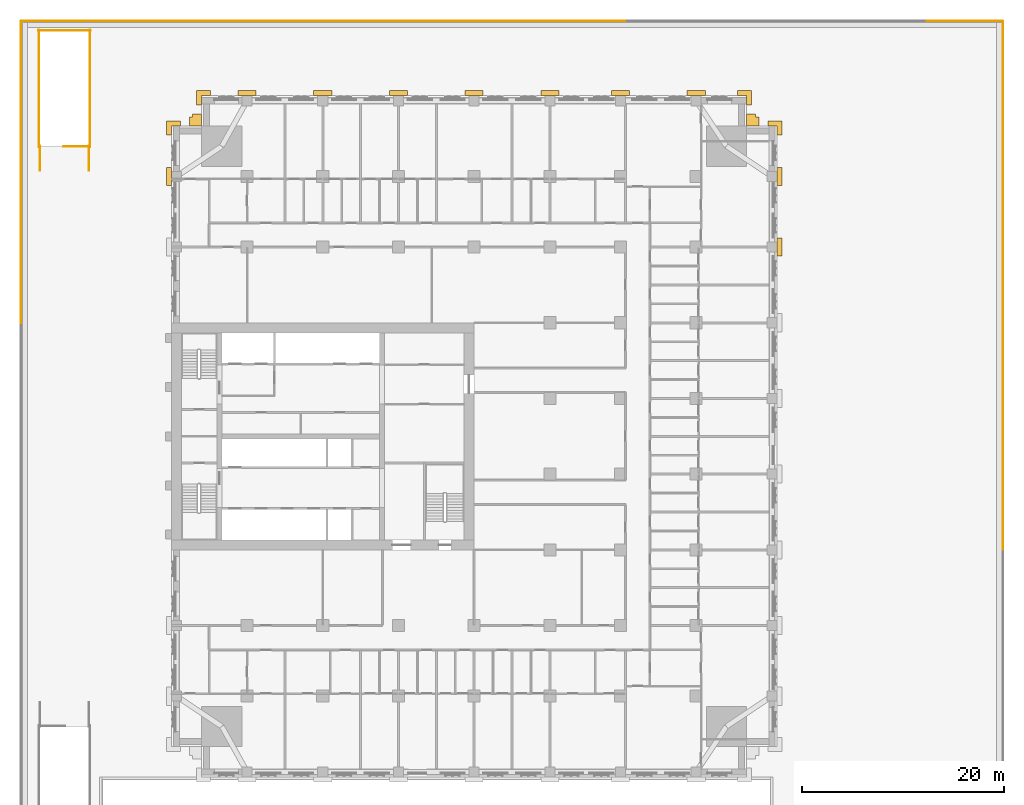
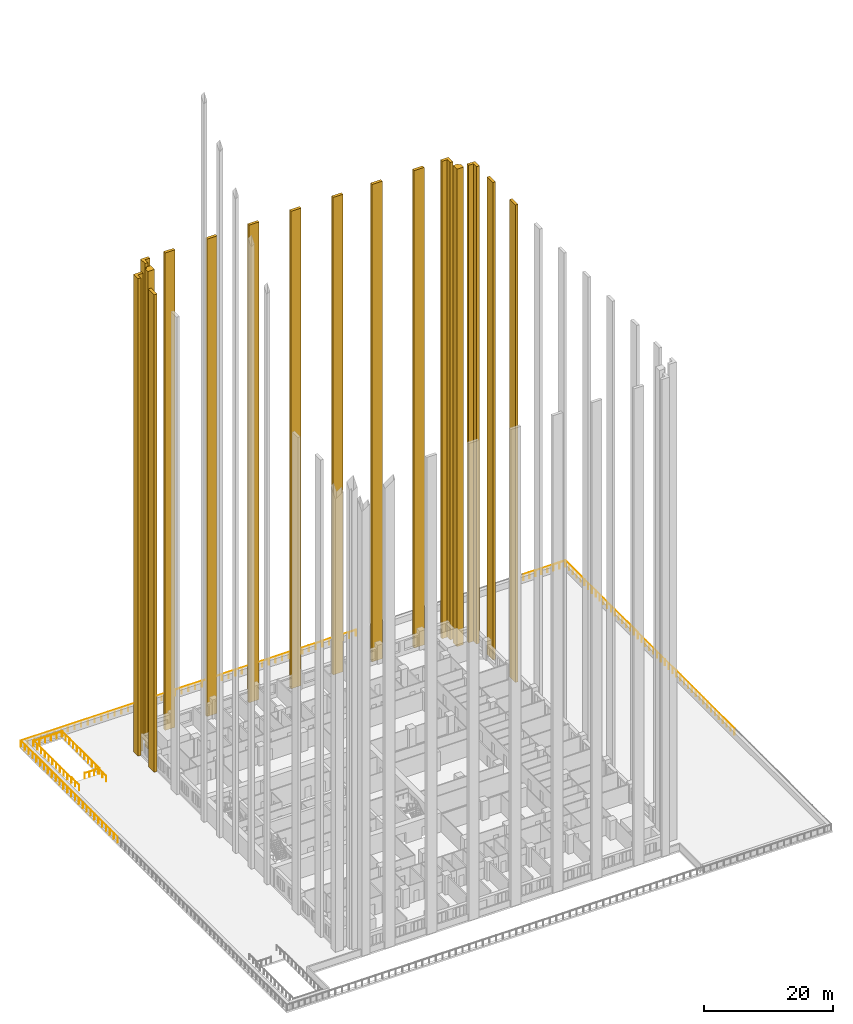
# One storey, part 26 of 27: 16 coverings, 11 railings.
"""IFC4 building model written with IfcOpenShell, lengths in metres."""

from ifc_helpers import new_model, si_unit, direction, frame, origin, origin_2d, place, context, subcontext, project, spatial, polyline, circle, outline, extrude, material, layer, layer_set, type_object, element, save


model = new_model("IFC4")

# Units and contexts
model_context = context("Model", 3, precision=1e-05, world=origin(), true_north=direction((0.0, 1.0)))
body_context = subcontext(model_context, "Body", "Model", "MODEL_VIEW")
ifc_project = project(units=[si_unit("LENGTHUNIT", "METRE"), si_unit("AREAUNIT", "SQUARE_METRE"), si_unit("VOLUMEUNIT", "CUBIC_METRE"), si_unit("PLANEANGLEUNIT", "RADIAN"), si_unit("MASSUNIT", "GRAM", prefix="KILO")], contexts=[model_context])

# Site, building, storey
site_placement = place(None, origin())
site = spatial("IfcSite", under=ifc_project, at=site_placement, CompositionType="ELEMENT")
building_placement = place(site_placement, origin())
building = spatial("IfcBuilding", under=site, at=building_placement, Name="Tamorin Gate", CompositionType="ELEMENT")
storey_placement = place(building_placement, frame((0.0, 0.0, 34.0)))
storey = spatial("IfcBuildingStorey", under=building, at=storey_placement, Name="L06", CompositionType="ELEMENT", Elevation=34.0)

# Coverings
ifc_material_1 = material(Name="Precast concrete C40/50", Category="concrete")
ifc_layer_1 = layer(ifc_material_1, 0.5)
ifc_layer_set_1 = layer_set([ifc_layer_1], Name="Corner pier cladding 500")
covering_type_1 = type_object("IfcCoveringType", Name="Corner pier cladding 500", PredefinedType="CLADDING", material=ifc_layer_set_1)
covering_1_placement = place(storey_placement, origin())
element("IfcCovering", 1, at=covering_1_placement, inside=storey, type_object=covering_type_1, Name="Corner pier", PredefinedType="CLADDING", context=body_context, shape_type="SweptSolid", body=[
    extrude(outline(polyline([(90.5, 102.5), (90.5, 101.10009765625), (90.0, 101.10009765625), (90.0, 102.0), (89.10009765625, 102.0), (89.10009765625, 102.5), (90.5, 102.5)])), origin(), (0.0, 0.0, 1.0), 90.199951171875),
])
covering_2_placement = place(storey_placement, origin())
element("IfcCovering", 2, at=covering_2_placement, inside=storey, type_object=covering_type_1, Name="Corner pier", PredefinedType="CLADDING", context=body_context, shape_type="SweptSolid", body=[
    extrude(outline(polyline([(87.5, 105.5), (87.5, 104.10009765625), (87.0, 104.10009765625), (87.0, 105.0), (86.10009765625, 105.0), (86.10009765625, 105.5), (87.5, 105.5)])), origin(), (0.0, 0.0, 1.0), 90.199951171875),
])
covering_3_placement = place(storey_placement, origin())
element("IfcCovering", 3, at=covering_3_placement, inside=storey, type_object=covering_type_1, Name="Corner pier", PredefinedType="CLADDING", context=body_context, shape_type="SweptSolid", body=[
    extrude(outline(polyline([(32.5, 105.5), (33.89990234375, 105.5), (33.89990234375, 105.0), (33.0, 105.0), (33.0, 104.10009765625), (32.5, 104.10009765625), (32.5, 105.5)])), origin(), (0.0, 0.0, 1.0), 90.199951171875),
])
covering_4_placement = place(storey_placement, origin())
element("IfcCovering", 4, at=covering_4_placement, inside=storey, type_object=covering_type_1, Name="Corner pier", PredefinedType="CLADDING", context=body_context, shape_type="SweptSolid", body=[
    extrude(outline(polyline([(29.5, 102.5), (30.89990234375, 102.5), (30.89990234375, 102.0), (30.0, 102.0), (30.0, 101.10009765625), (29.5, 101.10009765625), (29.5, 102.5)])), origin(), (0.0, 0.0, 1.0), 90.199951171875),
])
ifc_layer_2 = layer(ifc_material_1, 0.89990234375)
ifc_layer_set_2 = layer_set([ifc_layer_2], Name="Corner pier cladding 900")
covering_type_2 = type_object("IfcCoveringType", Name="Corner pier cladding 900", PredefinedType="CLADDING", material=ifc_layer_set_2)
covering_5_placement = place(storey_placement, origin())
element("IfcCovering", 5, at=covering_5_placement, inside=storey, type_object=covering_type_2, Name="Corner pier", PredefinedType="CLADDING", context=body_context, shape_type="SweptSolid", body=[
    extrude(outline(polyline([(87.89990234375, 102.89990234375), (88.199951171875, 102.89990234375), (88.199951171875, 102.0), (87.0, 102.0), (87.0, 103.199951171875), (87.89990234375, 103.199951171875), (87.89990234375, 102.89990234375)])), origin(), (0.0, 0.0, 1.0), 90.199951171875),
])
covering_6_placement = place(storey_placement, origin())
element("IfcCovering", 6, at=covering_6_placement, inside=storey, type_object=covering_type_2, Name="Corner pier", PredefinedType="CLADDING", context=body_context, shape_type="SweptSolid", body=[
    extrude(outline(polyline([(32.10009765625, 102.89990234375), (32.10009765625, 103.199951171875), (33.0, 103.199951171875), (33.0, 102.0), (31.800048828125, 102.0), (31.800048828125, 102.89990234375), (32.10009765625, 102.89990234375)])), origin(), (0.0, 0.0, 1.0), 90.199951171875),
])

# Railings
ifc_material_2 = material(Name="Steel", Category="steel")
railing_type_1 = type_object("IfcRailingType", Name="Podium guard 1100", PredefinedType="GUARDRAIL", material=ifc_material_2)
railing_1_placement = place(storey_placement, frame((21.875, 99.949951171875, 0.0)))
element("IfcRailing", 7, at=railing_1_placement, inside=storey, type_object=railing_type_1, Name="L06 PS2 top well guard 1", PredefinedType="GUARDRAIL", context=body_context, shape_type="SweptSolid", body=[
    extrude(circle(Radius=0.02392578125, at=origin_2d()), frame((0.0, 0.0, 1.076171875), z_axis=(-1.0, 0.0, 0.0), x_axis=(0.0, -1.0, 0.0)), (0.0, 0.0, 1.0), 2.550048828125),
    extrude(circle(Radius=0.02099609375, at=origin_2d()), origin(), (0.0, 0.0, 1.0), 1.052001953125),
    extrude(circle(Radius=0.02099609375, at=origin_2d()), frame((-0.85009765625, 0.0, 0.0)), (0.0, 0.0, 1.0), 1.052001953125),
    extrude(circle(Radius=0.02099609375, at=origin_2d()), frame((-1.699951171875, 0.0, 0.0)), (0.0, 0.0, 1.0), 1.052001953125),
    extrude(circle(Radius=0.02099609375, at=origin_2d()), frame((-2.550048828125, 0.0, 0.0)), (0.0, 0.0, 1.0), 1.052001953125),
])
for number, where, name in (
    (8, (21.925048828125, 99.89990234375, 0.0), "L06 PS2 top well guard 2"),
    (9, (16.875, 99.89990234375, 0.0), "L06 PS2 top well guard 3"),
):
    element("IfcRailing", number, at=place(storey_placement, frame(where)), inside=storey, type_object=railing_type_1, Name=name, PredefinedType="GUARDRAIL", context=body_context, shape_type="SweptSolid", body=[
        extrude(circle(Radius=0.02392578125, at=origin_2d()), frame((0.0, 0.0, 1.076171875), z_axis=(0.0, 1.0, 0.0), x_axis=(-1.0, 0.0, 0.0)), (0.0, 0.0, 1.0), 11.60009765625),
        extrude(circle(Radius=0.02099609375, at=origin_2d()), origin(), (0.0, 0.0, 1.0), 1.052001953125),
        extrude(circle(Radius=0.02099609375, at=origin_2d()), frame((0.0, 1.159912109375, 0.0)), (0.0, 0.0, 1.0), 1.052001953125),
        extrude(circle(Radius=0.02099609375, at=origin_2d()), frame((0.0, 2.320068359375, 0.0)), (0.0, 0.0, 1.0), 1.052001953125),
        extrude(circle(Radius=0.02099609375, at=origin_2d()), frame((0.0, 3.47998046875, 0.0)), (0.0, 0.0, 1.0), 1.052001953125),
        extrude(circle(Radius=0.02099609375, at=origin_2d()), frame((0.0, 4.64013671875, 0.0)), (0.0, 0.0, 1.0), 1.052001953125),
        extrude(circle(Radius=0.02099609375, at=origin_2d()), frame((0.0, 5.800048828125, 0.0)), (0.0, 0.0, 1.0), 1.052001953125),
        extrude(circle(Radius=0.02099609375, at=origin_2d()), frame((0.0, 6.9599609375, 0.0)), (0.0, 0.0, 1.0), 1.052001953125),
        extrude(circle(Radius=0.02099609375, at=origin_2d()), frame((0.0, 8.1201171875, 0.0)), (0.0, 0.0, 1.0), 1.052001953125),
        extrude(circle(Radius=0.02099609375, at=origin_2d()), frame((0.0, 9.280029296875, 0.0)), (0.0, 0.0, 1.0), 1.052001953125),
        extrude(circle(Radius=0.02099609375, at=origin_2d()), frame((0.0, 10.440185546875, 0.0)), (0.0, 0.0, 1.0), 1.052001953125),
        extrude(circle(Radius=0.02099609375, at=origin_2d()), frame((0.0, 11.60009765625, 0.0)), (0.0, 0.0, 1.0), 1.052001953125),
    ])
railing_2_placement = place(storey_placement, frame((21.97509765625, 111.449951171875, 0.0)))
element("IfcRailing", 10, at=railing_2_placement, inside=storey, type_object=railing_type_1, Name="L06 PS2 top well guard 4", PredefinedType="GUARDRAIL", context=body_context, shape_type="SweptSolid", body=[
    extrude(circle(Radius=0.02392578125, at=origin_2d()), frame((0.0, 0.0, 1.076171875), z_axis=(-1.0, 0.0, 0.0), x_axis=(0.0, -1.0, 0.0)), (0.0, 0.0, 1.0), 5.150146484375),
    extrude(circle(Radius=0.02099609375, at=origin_2d()), origin(), (0.0, 0.0, 1.0), 1.052001953125),
    extrude(circle(Radius=0.02099609375, at=origin_2d()), frame((-1.030029296875, 0.0, 0.0)), (0.0, 0.0, 1.0), 1.052001953125),
    extrude(circle(Radius=0.02099609375, at=origin_2d()), frame((-2.06005859375, 0.0, 0.0)), (0.0, 0.0, 1.0), 1.052001953125),
    extrude(circle(Radius=0.02099609375, at=origin_2d()), frame((-3.090087890625, 0.0, 0.0)), (0.0, 0.0, 1.0), 1.052001953125),
    extrude(circle(Radius=0.02099609375, at=origin_2d()), frame((-4.1201171875, 0.0, 0.0)), (0.0, 0.0, 1.0), 1.052001953125),
    extrude(circle(Radius=0.02099609375, at=origin_2d()), frame((-5.150146484375, 0.0, 0.0)), (0.0, 0.0, 1.0), 1.052001953125),
])
for number, where, name in (
    (11, (21.824951171875, 97.60009765625, 0.0), "L06 PS2 top well guard 5"),
    (12, (16.97509765625, 97.60009765625, 0.0), "L06 PS2 top well guard 6"),
):
    element("IfcRailing", number, at=place(storey_placement, frame(where)), inside=storey, type_object=railing_type_1, Name=name, PredefinedType="GUARDRAIL", context=body_context, shape_type="SweptSolid", body=[
        extrude(circle(Radius=0.02392578125, at=origin_2d()), frame((0.0, 0.0, 1.076171875), z_axis=(0.0, 1.0, 0.0), x_axis=(-1.0, 0.0, 0.0)), (0.0, 0.0, 1.0), 2.39990234375),
        extrude(circle(Radius=0.02099609375, at=origin_2d()), origin(), (0.0, 0.0, 1.0), 1.052001953125),
        extrude(circle(Radius=0.02099609375, at=origin_2d()), frame((0.0, 1.199951171875, 0.0)), (0.0, 0.0, 1.0), 1.052001953125),
        extrude(circle(Radius=0.02099609375, at=origin_2d()), frame((0.0, 2.39990234375, 0.0)), (0.0, 0.0, 1.0), 1.052001953125),
    ])

# Coverings
ifc_layer_3 = layer(ifc_material_1, 0.5)
ifc_layer_set_3 = layer_set([ifc_layer_3], Name="Precast concrete C40/50")
covering_type_3 = type_object("IfcCoveringType", Name="Precast pier 1800x500", PredefinedType="CLADDING", material=ifc_layer_set_3)
covering_7_placement = place(storey_placement, origin())
element("IfcCovering", 13, at=covering_7_placement, inside=storey, type_object=covering_type_3, Name="Precast pier", PredefinedType="CLADDING", context=body_context, shape_type="SweptSolid", body=[
    extrude(outline(polyline([(30.0, 97.89990234375), (30.0, 96.10009765625), (29.5, 96.10009765625), (29.5, 97.89990234375), (30.0, 97.89990234375)])), origin(), (0.0, 0.0, 1.0), 90.199951171875),
])
covering_8_placement = place(storey_placement, origin())
element("IfcCovering", 14, at=covering_8_placement, inside=storey, type_object=covering_type_3, Name="Precast pier", PredefinedType="CLADDING", context=body_context, shape_type="SweptSolid", body=[
    extrude(outline(polyline([(38.39990234375, 105.0), (36.60009765625, 105.0), (36.60009765625, 105.5), (38.39990234375, 105.5), (38.39990234375, 105.0)])), origin(), (0.0, 0.0, 1.0), 90.199951171875),
])
covering_9_placement = place(storey_placement, origin())
element("IfcCovering", 15, at=covering_9_placement, inside=storey, type_object=covering_type_3, Name="Precast pier", PredefinedType="CLADDING", context=body_context, shape_type="SweptSolid", body=[
    extrude(outline(polyline([(45.89990234375, 105.0), (44.10009765625, 105.0), (44.10009765625, 105.5), (45.89990234375, 105.5), (45.89990234375, 105.0)])), origin(), (0.0, 0.0, 1.0), 90.199951171875),
])
covering_10_placement = place(storey_placement, origin())
element("IfcCovering", 16, at=covering_10_placement, inside=storey, type_object=covering_type_3, Name="Precast pier", PredefinedType="CLADDING", context=body_context, shape_type="SweptSolid", body=[
    extrude(outline(polyline([(53.39990234375, 105.0), (51.60009765625, 105.0), (51.60009765625, 105.5), (53.39990234375, 105.5), (53.39990234375, 105.0)])), origin(), (0.0, 0.0, 1.0), 90.199951171875),
])
covering_11_placement = place(storey_placement, origin())
element("IfcCovering", 17, at=covering_11_placement, inside=storey, type_object=covering_type_3, Name="Precast pier", PredefinedType="CLADDING", context=body_context, shape_type="SweptSolid", body=[
    extrude(outline(polyline([(60.89990234375, 105.0), (59.10009765625, 105.0), (59.10009765625, 105.5), (60.89990234375, 105.5), (60.89990234375, 105.0)])), origin(), (0.0, 0.0, 1.0), 90.199951171875),
])
covering_12_placement = place(storey_placement, origin())
element("IfcCovering", 18, at=covering_12_placement, inside=storey, type_object=covering_type_3, Name="Precast pier", PredefinedType="CLADDING", context=body_context, shape_type="SweptSolid", body=[
    extrude(outline(polyline([(68.39990234375, 105.0), (66.60009765625, 105.0), (66.60009765625, 105.5), (68.39990234375, 105.5), (68.39990234375, 105.0)])), origin(), (0.0, 0.0, 1.0), 90.199951171875),
])
covering_13_placement = place(storey_placement, origin())
element("IfcCovering", 19, at=covering_13_placement, inside=storey, type_object=covering_type_3, Name="Precast pier", PredefinedType="CLADDING", context=body_context, shape_type="SweptSolid", body=[
    extrude(outline(polyline([(75.39990234375, 105.0), (73.60009765625, 105.0), (73.60009765625, 105.5), (75.39990234375, 105.5), (75.39990234375, 105.0)])), origin(), (0.0, 0.0, 1.0), 90.199951171875),
])
covering_14_placement = place(storey_placement, origin())
element("IfcCovering", 20, at=covering_14_placement, inside=storey, type_object=covering_type_3, Name="Precast pier", PredefinedType="CLADDING", context=body_context, shape_type="SweptSolid", body=[
    extrude(outline(polyline([(82.89990234375, 105.0), (81.10009765625, 105.0), (81.10009765625, 105.5), (82.89990234375, 105.5), (82.89990234375, 105.0)])), origin(), (0.0, 0.0, 1.0), 90.199951171875),
])
covering_15_placement = place(storey_placement, origin())
element("IfcCovering", 21, at=covering_15_placement, inside=storey, type_object=covering_type_3, Name="Precast pier", PredefinedType="CLADDING", context=body_context, shape_type="SweptSolid", body=[
    extrude(outline(polyline([(90.0, 89.10009765625), (90.0, 90.89990234375), (90.5, 90.89990234375), (90.5, 89.10009765625), (90.0, 89.10009765625)])), origin(), (0.0, 0.0, 1.0), 90.199951171875),
])
covering_16_placement = place(storey_placement, origin())
element("IfcCovering", 22, at=covering_16_placement, inside=storey, type_object=covering_type_3, Name="Precast pier", PredefinedType="CLADDING", context=body_context, shape_type="SweptSolid", body=[
    extrude(outline(polyline([(90.0, 96.10009765625), (90.0, 97.89990234375), (90.5, 97.89990234375), (90.5, 96.10009765625), (90.0, 96.10009765625)])), origin(), (0.0, 0.0, 1.0), 90.199951171875),
])

# Railings
ifc_material_3 = material(Name="Stainless steel", Category="steel")
railing_type_2 = type_object("IfcRailingType", Name="Terrace guard 1150", PredefinedType="GUARDRAIL", material=ifc_material_3)
railing_3_placement = place(storey_placement, frame((15.1201171875, 112.3798828125, 0.0)))
element("IfcRailing", 23, at=railing_3_placement, inside=storey, type_object=railing_type_2, Name="Terrace guard", PredefinedType="GUARDRAIL", context=body_context, shape_type="SweptSolid", body=[
    extrude(circle(Radius=0.02392578125, at=origin_2d()), frame((0.0, 0.0, 1.1259765625), z_axis=(1.0, 0.0, 0.0), x_axis=(0.0, 1.0, 0.0)), (0.0, 0.0, 1.0), 29.919921875),
    extrude(circle(Radius=0.02099609375, at=origin_2d()), origin(), (0.0, 0.0, 1.0), 1.101806640625),
    extrude(circle(Radius=0.02099609375, at=origin_2d()), frame((1.19677734375, 0.0, 0.0)), (0.0, 0.0, 1.0), 1.101806640625),
    extrude(circle(Radius=0.02099609375, at=origin_2d()), frame((2.3935546875, 0.0, 0.0)), (0.0, 0.0, 1.0), 1.101806640625),
    extrude(circle(Radius=0.02099609375, at=origin_2d()), frame((3.59033203125, 0.0, 0.0)), (0.0, 0.0, 1.0), 1.101806640625),
    extrude(circle(Radius=0.02099609375, at=origin_2d()), frame((4.787109375, 0.0, 0.0)), (0.0, 0.0, 1.0), 1.101806640625),
    extrude(circle(Radius=0.02099609375, at=origin_2d()), frame((5.98388671875, 0.0, 0.0)), (0.0, 0.0, 1.0), 1.101806640625),
    extrude(circle(Radius=0.02099609375, at=origin_2d()), frame((7.1806640625, 0.0, 0.0)), (0.0, 0.0, 1.0), 1.101806640625),
    extrude(circle(Radius=0.02099609375, at=origin_2d()), frame((8.377685546875, 0.0, 0.0)), (0.0, 0.0, 1.0), 1.101806640625),
    extrude(circle(Radius=0.02099609375, at=origin_2d()), frame((9.574462890625, 0.0, 0.0)), (0.0, 0.0, 1.0), 1.101806640625),
    extrude(circle(Radius=0.02099609375, at=origin_2d()), frame((10.771240234375, 0.0, 0.0)), (0.0, 0.0, 1.0), 1.101806640625),
    extrude(circle(Radius=0.02099609375, at=origin_2d()), frame((11.968017578125, 0.0, 0.0)), (0.0, 0.0, 1.0), 1.101806640625),
    extrude(circle(Radius=0.02099609375, at=origin_2d()), frame((13.164794921875, 0.0, 0.0)), (0.0, 0.0, 1.0), 1.101806640625),
    extrude(circle(Radius=0.02099609375, at=origin_2d()), frame((14.361572265625, 0.0, 0.0)), (0.0, 0.0, 1.0), 1.101806640625),
    extrude(circle(Radius=0.02099609375, at=origin_2d()), frame((15.558349609375, 0.0, 0.0)), (0.0, 0.0, 1.0), 1.101806640625),
    extrude(circle(Radius=0.02099609375, at=origin_2d()), frame((16.755126953125, 0.0, 0.0)), (0.0, 0.0, 1.0), 1.101806640625),
    extrude(circle(Radius=0.02099609375, at=origin_2d()), frame((17.951904296875, 0.0, 0.0)), (0.0, 0.0, 1.0), 1.101806640625),
    extrude(circle(Radius=0.02099609375, at=origin_2d()), frame((19.148681640625, 0.0, 0.0)), (0.0, 0.0, 1.0), 1.101806640625),
    extrude(circle(Radius=0.02099609375, at=origin_2d()), frame((20.345458984375, 0.0, 0.0)), (0.0, 0.0, 1.0), 1.101806640625),
    extrude(circle(Radius=0.02099609375, at=origin_2d()), frame((21.542236328125, 0.0, 0.0)), (0.0, 0.0, 1.0), 1.101806640625),
    extrude(circle(Radius=0.02099609375, at=origin_2d()), frame((22.7392578125, 0.0, 0.0)), (0.0, 0.0, 1.0), 1.101806640625),
    extrude(circle(Radius=0.02099609375, at=origin_2d()), frame((23.93603515625, 0.0, 0.0)), (0.0, 0.0, 1.0), 1.101806640625),
    extrude(circle(Radius=0.02099609375, at=origin_2d()), frame((25.1328125, 0.0, 0.0)), (0.0, 0.0, 1.0), 1.101806640625),
    extrude(circle(Radius=0.02099609375, at=origin_2d()), frame((26.32958984375, 0.0, 0.0)), (0.0, 0.0, 1.0), 1.101806640625),
    extrude(circle(Radius=0.02099609375, at=origin_2d()), frame((27.5263671875, 0.0, 0.0)), (0.0, 0.0, 1.0), 1.101806640625),
    extrude(circle(Radius=0.02099609375, at=origin_2d()), frame((28.72314453125, 0.0, 0.0)), (0.0, 0.0, 1.0), 1.101806640625),
    extrude(circle(Radius=0.02099609375, at=origin_2d()), frame((29.919921875, 0.0, 0.0)), (0.0, 0.0, 1.0), 1.101806640625),
])
railing_4_placement = place(storey_placement, frame((45.0400390625, 112.3798828125, 0.0)))
element("IfcRailing", 24, at=railing_4_placement, inside=storey, type_object=railing_type_2, Name="Terrace guard", PredefinedType="GUARDRAIL", context=body_context, shape_type="SweptSolid", body=[
    extrude(circle(Radius=0.02392578125, at=origin_2d()), frame((0.0, 0.0, 1.1259765625), z_axis=(1.0, 0.0, 0.0), x_axis=(0.0, 1.0, 0.0)), (0.0, 0.0, 1.0), 29.919921875),
    extrude(circle(Radius=0.02099609375, at=origin_2d()), origin(), (0.0, 0.0, 1.0), 1.101806640625),
    extrude(circle(Radius=0.02099609375, at=origin_2d()), frame((1.19677734375, 0.0, 0.0)), (0.0, 0.0, 1.0), 1.101806640625),
    extrude(circle(Radius=0.02099609375, at=origin_2d()), frame((2.3935546875, 0.0, 0.0)), (0.0, 0.0, 1.0), 1.101806640625),
    extrude(circle(Radius=0.02099609375, at=origin_2d()), frame((3.59033203125, 0.0, 0.0)), (0.0, 0.0, 1.0), 1.101806640625),
    extrude(circle(Radius=0.02099609375, at=origin_2d()), frame((4.787109375, 0.0, 0.0)), (0.0, 0.0, 1.0), 1.101806640625),
    extrude(circle(Radius=0.02099609375, at=origin_2d()), frame((5.98388671875, 0.0, 0.0)), (0.0, 0.0, 1.0), 1.101806640625),
    extrude(circle(Radius=0.02099609375, at=origin_2d()), frame((7.1806640625, 0.0, 0.0)), (0.0, 0.0, 1.0), 1.101806640625),
    extrude(circle(Radius=0.02099609375, at=origin_2d()), frame((8.377685546875, 0.0, 0.0)), (0.0, 0.0, 1.0), 1.101806640625),
    extrude(circle(Radius=0.02099609375, at=origin_2d()), frame((9.574462890625, 0.0, 0.0)), (0.0, 0.0, 1.0), 1.101806640625),
    extrude(circle(Radius=0.02099609375, at=origin_2d()), frame((10.771240234375, 0.0, 0.0)), (0.0, 0.0, 1.0), 1.101806640625),
    extrude(circle(Radius=0.02099609375, at=origin_2d()), frame((11.968017578125, 0.0, 0.0)), (0.0, 0.0, 1.0), 1.101806640625),
    extrude(circle(Radius=0.02099609375, at=origin_2d()), frame((13.164794921875, 0.0, 0.0)), (0.0, 0.0, 1.0), 1.101806640625),
    extrude(circle(Radius=0.02099609375, at=origin_2d()), frame((14.361572265625, 0.0, 0.0)), (0.0, 0.0, 1.0), 1.101806640625),
    extrude(circle(Radius=0.02099609375, at=origin_2d()), frame((15.558349609375, 0.0, 0.0)), (0.0, 0.0, 1.0), 1.101806640625),
    extrude(circle(Radius=0.02099609375, at=origin_2d()), frame((16.755126953125, 0.0, 0.0)), (0.0, 0.0, 1.0), 1.101806640625),
    extrude(circle(Radius=0.02099609375, at=origin_2d()), frame((17.951904296875, 0.0, 0.0)), (0.0, 0.0, 1.0), 1.101806640625),
    extrude(circle(Radius=0.02099609375, at=origin_2d()), frame((19.148681640625, 0.0, 0.0)), (0.0, 0.0, 1.0), 1.101806640625),
    extrude(circle(Radius=0.02099609375, at=origin_2d()), frame((20.345458984375, 0.0, 0.0)), (0.0, 0.0, 1.0), 1.101806640625),
    extrude(circle(Radius=0.02099609375, at=origin_2d()), frame((21.542236328125, 0.0, 0.0)), (0.0, 0.0, 1.0), 1.101806640625),
    extrude(circle(Radius=0.02099609375, at=origin_2d()), frame((22.7392578125, 0.0, 0.0)), (0.0, 0.0, 1.0), 1.101806640625),
    extrude(circle(Radius=0.02099609375, at=origin_2d()), frame((23.93603515625, 0.0, 0.0)), (0.0, 0.0, 1.0), 1.101806640625),
    extrude(circle(Radius=0.02099609375, at=origin_2d()), frame((25.1328125, 0.0, 0.0)), (0.0, 0.0, 1.0), 1.101806640625),
    extrude(circle(Radius=0.02099609375, at=origin_2d()), frame((26.32958984375, 0.0, 0.0)), (0.0, 0.0, 1.0), 1.101806640625),
    extrude(circle(Radius=0.02099609375, at=origin_2d()), frame((27.5263671875, 0.0, 0.0)), (0.0, 0.0, 1.0), 1.101806640625),
    extrude(circle(Radius=0.02099609375, at=origin_2d()), frame((28.72314453125, 0.0, 0.0)), (0.0, 0.0, 1.0), 1.101806640625),
    extrude(circle(Radius=0.02099609375, at=origin_2d()), frame((29.919921875, 0.0, 0.0)), (0.0, 0.0, 1.0), 1.101806640625),
])
railing_5_placement = place(storey_placement, frame((104.8798828125, 112.3798828125, 0.0)))
element("IfcRailing", 25, at=railing_5_placement, inside=storey, type_object=railing_type_2, Name="Terrace guard", PredefinedType="GUARDRAIL", context=body_context, shape_type="SweptSolid", body=[
    extrude(circle(Radius=0.02392578125, at=origin_2d()), frame((0.0, 0.0, 1.1259765625), z_axis=(1.0, 0.0, 0.0), x_axis=(0.0, 1.0, 0.0)), (0.0, 0.0, 1.0), 7.5),
    extrude(circle(Radius=0.02392578125, at=origin_2d()), frame((7.5, 0.0, 1.1259765625), z_axis=(0.0, -1.0, 0.0), x_axis=(1.0, 0.0, 0.0)), (0.0, 0.0, 1.0), 22.419921875),
    extrude(circle(Radius=0.02099609375, at=origin_2d()), origin(), (0.0, 0.0, 1.0), 1.101806640625),
    extrude(circle(Radius=0.02099609375, at=origin_2d()), frame((1.071533203125, 0.0, 0.0)), (0.0, 0.0, 1.0), 1.101806640625),
    extrude(circle(Radius=0.02099609375, at=origin_2d()), frame((2.142822265625, 0.0, 0.0)), (0.0, 0.0, 1.0), 1.101806640625),
    extrude(circle(Radius=0.02099609375, at=origin_2d()), frame((3.21435546875, 0.0, 0.0)), (0.0, 0.0, 1.0), 1.101806640625),
    extrude(circle(Radius=0.02099609375, at=origin_2d()), frame((4.28564453125, 0.0, 0.0)), (0.0, 0.0, 1.0), 1.101806640625),
    extrude(circle(Radius=0.02099609375, at=origin_2d()), frame((5.357177734375, 0.0, 0.0)), (0.0, 0.0, 1.0), 1.101806640625),
    extrude(circle(Radius=0.02099609375, at=origin_2d()), frame((6.428466796875, 0.0, 0.0)), (0.0, 0.0, 1.0), 1.101806640625),
    extrude(circle(Radius=0.02099609375, at=origin_2d()), frame((7.5, 0.0, 0.0)), (0.0, 0.0, 1.0), 1.101806640625),
    extrude(circle(Radius=0.02099609375, at=origin_2d()), frame((7.5, -1.179931640625, 0.0)), (0.0, 0.0, 1.0), 1.101806640625),
    extrude(circle(Radius=0.02099609375, at=origin_2d()), frame((7.5, -2.360107421875, 0.0)), (0.0, 0.0, 1.0), 1.101806640625),
    extrude(circle(Radius=0.02099609375, at=origin_2d()), frame((7.5, -3.5400390625, 0.0)), (0.0, 0.0, 1.0), 1.101806640625),
    extrude(circle(Radius=0.02099609375, at=origin_2d()), frame((7.5, -4.719970703125, 0.0)), (0.0, 0.0, 1.0), 1.101806640625),
    extrude(circle(Radius=0.02099609375, at=origin_2d()), frame((7.5, -5.89990234375, 0.0)), (0.0, 0.0, 1.0), 1.101806640625),
    extrude(circle(Radius=0.02099609375, at=origin_2d()), frame((7.5, -7.080078125, 0.0)), (0.0, 0.0, 1.0), 1.101806640625),
    extrude(circle(Radius=0.02099609375, at=origin_2d()), frame((7.5, -8.260009765625, 0.0)), (0.0, 0.0, 1.0), 1.101806640625),
    extrude(circle(Radius=0.02099609375, at=origin_2d()), frame((7.5, -9.43994140625, 0.0)), (0.0, 0.0, 1.0), 1.101806640625),
    extrude(circle(Radius=0.02099609375, at=origin_2d()), frame((7.5, -10.619873046875, 0.0)), (0.0, 0.0, 1.0), 1.101806640625),
    extrude(circle(Radius=0.02099609375, at=origin_2d()), frame((7.5, -11.800048828125, 0.0)), (0.0, 0.0, 1.0), 1.101806640625),
    extrude(circle(Radius=0.02099609375, at=origin_2d()), frame((7.5, -12.97998046875, 0.0)), (0.0, 0.0, 1.0), 1.101806640625),
    extrude(circle(Radius=0.02099609375, at=origin_2d()), frame((7.5, -14.159912109375, 0.0)), (0.0, 0.0, 1.0), 1.101806640625),
    extrude(circle(Radius=0.02099609375, at=origin_2d()), frame((7.5, -15.33984375, 0.0)), (0.0, 0.0, 1.0), 1.101806640625),
    extrude(circle(Radius=0.02099609375, at=origin_2d()), frame((7.5, -16.52001953125, 0.0)), (0.0, 0.0, 1.0), 1.101806640625),
    extrude(circle(Radius=0.02099609375, at=origin_2d()), frame((7.5, -17.699951171875, 0.0)), (0.0, 0.0, 1.0), 1.101806640625),
    extrude(circle(Radius=0.02099609375, at=origin_2d()), frame((7.5, -18.8798828125, 0.0)), (0.0, 0.0, 1.0), 1.101806640625),
    extrude(circle(Radius=0.02099609375, at=origin_2d()), frame((7.5, -20.059814453125, 0.0)), (0.0, 0.0, 1.0), 1.101806640625),
    extrude(circle(Radius=0.02099609375, at=origin_2d()), frame((7.5, -21.239990234375, 0.0)), (0.0, 0.0, 1.0), 1.101806640625),
    extrude(circle(Radius=0.02099609375, at=origin_2d()), frame((7.5, -22.419921875, 0.0)), (0.0, 0.0, 1.0), 1.101806640625),
])
railing_6_placement = place(storey_placement, frame((112.3798828125, 89.9599609375, 0.0)))
element("IfcRailing", 26, at=railing_6_placement, inside=storey, type_object=railing_type_2, Name="Terrace guard", PredefinedType="GUARDRAIL", context=body_context, shape_type="SweptSolid", body=[
    extrude(circle(Radius=0.02392578125, at=origin_2d()), frame((0.0, 0.0, 1.1259765625), z_axis=(0.0, -1.0, 0.0), x_axis=(1.0, 0.0, 0.0)), (0.0, 0.0, 1.0), 29.919921875),
    extrude(circle(Radius=0.02099609375, at=origin_2d()), origin(), (0.0, 0.0, 1.0), 1.101806640625),
    extrude(circle(Radius=0.02099609375, at=origin_2d()), frame((0.0, -1.19677734375, 0.0)), (0.0, 0.0, 1.0), 1.101806640625),
    extrude(circle(Radius=0.02099609375, at=origin_2d()), frame((0.0, -2.3935546875, 0.0)), (0.0, 0.0, 1.0), 1.101806640625),
    extrude(circle(Radius=0.02099609375, at=origin_2d()), frame((0.0, -3.59033203125, 0.0)), (0.0, 0.0, 1.0), 1.101806640625),
    extrude(circle(Radius=0.02099609375, at=origin_2d()), frame((0.0, -4.787109375, 0.0)), (0.0, 0.0, 1.0), 1.101806640625),
    extrude(circle(Radius=0.02099609375, at=origin_2d()), frame((0.0, -5.98388671875, 0.0)), (0.0, 0.0, 1.0), 1.101806640625),
    extrude(circle(Radius=0.02099609375, at=origin_2d()), frame((0.0, -7.1806640625, 0.0)), (0.0, 0.0, 1.0), 1.101806640625),
    extrude(circle(Radius=0.02099609375, at=origin_2d()), frame((0.0, -8.377685546875, 0.0)), (0.0, 0.0, 1.0), 1.101806640625),
    extrude(circle(Radius=0.02099609375, at=origin_2d()), frame((0.0, -9.574462890625, 0.0)), (0.0, 0.0, 1.0), 1.101806640625),
    extrude(circle(Radius=0.02099609375, at=origin_2d()), frame((0.0, -10.771240234375, 0.0)), (0.0, 0.0, 1.0), 1.101806640625),
    extrude(circle(Radius=0.02099609375, at=origin_2d()), frame((0.0, -11.968017578125, 0.0)), (0.0, 0.0, 1.0), 1.101806640625),
    extrude(circle(Radius=0.02099609375, at=origin_2d()), frame((0.0, -13.164794921875, 0.0)), (0.0, 0.0, 1.0), 1.101806640625),
    extrude(circle(Radius=0.02099609375, at=origin_2d()), frame((0.0, -14.361572265625, 0.0)), (0.0, 0.0, 1.0), 1.101806640625),
    extrude(circle(Radius=0.02099609375, at=origin_2d()), frame((0.0, -15.558349609375, 0.0)), (0.0, 0.0, 1.0), 1.101806640625),
    extrude(circle(Radius=0.02099609375, at=origin_2d()), frame((0.0, -16.755126953125, 0.0)), (0.0, 0.0, 1.0), 1.101806640625),
    extrude(circle(Radius=0.02099609375, at=origin_2d()), frame((0.0, -17.951904296875, 0.0)), (0.0, 0.0, 1.0), 1.101806640625),
    extrude(circle(Radius=0.02099609375, at=origin_2d()), frame((0.0, -19.148681640625, 0.0)), (0.0, 0.0, 1.0), 1.101806640625),
    extrude(circle(Radius=0.02099609375, at=origin_2d()), frame((0.0, -20.345458984375, 0.0)), (0.0, 0.0, 1.0), 1.101806640625),
    extrude(circle(Radius=0.02099609375, at=origin_2d()), frame((0.0, -21.542236328125, 0.0)), (0.0, 0.0, 1.0), 1.101806640625),
    extrude(circle(Radius=0.02099609375, at=origin_2d()), frame((0.0, -22.7392578125, 0.0)), (0.0, 0.0, 1.0), 1.101806640625),
    extrude(circle(Radius=0.02099609375, at=origin_2d()), frame((0.0, -23.93603515625, 0.0)), (0.0, 0.0, 1.0), 1.101806640625),
    extrude(circle(Radius=0.02099609375, at=origin_2d()), frame((0.0, -25.1328125, 0.0)), (0.0, 0.0, 1.0), 1.101806640625),
    extrude(circle(Radius=0.02099609375, at=origin_2d()), frame((0.0, -26.32958984375, 0.0)), (0.0, 0.0, 1.0), 1.101806640625),
    extrude(circle(Radius=0.02099609375, at=origin_2d()), frame((0.0, -27.5263671875, 0.0)), (0.0, 0.0, 1.0), 1.101806640625),
    extrude(circle(Radius=0.02099609375, at=origin_2d()), frame((0.0, -28.72314453125, 0.0)), (0.0, 0.0, 1.0), 1.101806640625),
    extrude(circle(Radius=0.02099609375, at=origin_2d()), frame((0.0, -29.919921875, 0.0)), (0.0, 0.0, 1.0), 1.101806640625),
])
railing_7_placement = place(storey_placement, frame((15.1201171875, 82.4599609375, 0.0)))
element("IfcRailing", 27, at=railing_7_placement, inside=storey, type_object=railing_type_2, Name="Terrace guard", PredefinedType="GUARDRAIL", context=body_context, shape_type="SweptSolid", body=[
    extrude(circle(Radius=0.02392578125, at=origin_2d()), frame((0.0, 0.0, 1.1259765625), z_axis=(0.0, 1.0, 0.0), x_axis=(-1.0, 0.0, 0.0)), (0.0, 0.0, 1.0), 29.919921875),
    extrude(circle(Radius=0.02099609375, at=origin_2d()), origin(), (0.0, 0.0, 1.0), 1.101806640625),
    extrude(circle(Radius=0.02099609375, at=origin_2d()), frame((0.0, 1.19677734375, 0.0)), (0.0, 0.0, 1.0), 1.101806640625),
    extrude(circle(Radius=0.02099609375, at=origin_2d()), frame((0.0, 2.3935546875, 0.0)), (0.0, 0.0, 1.0), 1.101806640625),
    extrude(circle(Radius=0.02099609375, at=origin_2d()), frame((0.0, 3.59033203125, 0.0)), (0.0, 0.0, 1.0), 1.101806640625),
    extrude(circle(Radius=0.02099609375, at=origin_2d()), frame((0.0, 4.787109375, 0.0)), (0.0, 0.0, 1.0), 1.101806640625),
    extrude(circle(Radius=0.02099609375, at=origin_2d()), frame((0.0, 5.98388671875, 0.0)), (0.0, 0.0, 1.0), 1.101806640625),
    extrude(circle(Radius=0.02099609375, at=origin_2d()), frame((0.0, 7.1806640625, 0.0)), (0.0, 0.0, 1.0), 1.101806640625),
    extrude(circle(Radius=0.02099609375, at=origin_2d()), frame((0.0, 8.377685546875, 0.0)), (0.0, 0.0, 1.0), 1.101806640625),
    extrude(circle(Radius=0.02099609375, at=origin_2d()), frame((0.0, 9.574462890625, 0.0)), (0.0, 0.0, 1.0), 1.101806640625),
    extrude(circle(Radius=0.02099609375, at=origin_2d()), frame((0.0, 10.771240234375, 0.0)), (0.0, 0.0, 1.0), 1.101806640625),
    extrude(circle(Radius=0.02099609375, at=origin_2d()), frame((0.0, 11.968017578125, 0.0)), (0.0, 0.0, 1.0), 1.101806640625),
    extrude(circle(Radius=0.02099609375, at=origin_2d()), frame((0.0, 13.164794921875, 0.0)), (0.0, 0.0, 1.0), 1.101806640625),
    extrude(circle(Radius=0.02099609375, at=origin_2d()), frame((0.0, 14.361572265625, 0.0)), (0.0, 0.0, 1.0), 1.101806640625),
    extrude(circle(Radius=0.02099609375, at=origin_2d()), frame((0.0, 15.558349609375, 0.0)), (0.0, 0.0, 1.0), 1.101806640625),
    extrude(circle(Radius=0.02099609375, at=origin_2d()), frame((0.0, 16.755126953125, 0.0)), (0.0, 0.0, 1.0), 1.101806640625),
    extrude(circle(Radius=0.02099609375, at=origin_2d()), frame((0.0, 17.951904296875, 0.0)), (0.0, 0.0, 1.0), 1.101806640625),
    extrude(circle(Radius=0.02099609375, at=origin_2d()), frame((0.0, 19.148681640625, 0.0)), (0.0, 0.0, 1.0), 1.101806640625),
    extrude(circle(Radius=0.02099609375, at=origin_2d()), frame((0.0, 20.345458984375, 0.0)), (0.0, 0.0, 1.0), 1.101806640625),
    extrude(circle(Radius=0.02099609375, at=origin_2d()), frame((0.0, 21.542236328125, 0.0)), (0.0, 0.0, 1.0), 1.101806640625),
    extrude(circle(Radius=0.02099609375, at=origin_2d()), frame((0.0, 22.7392578125, 0.0)), (0.0, 0.0, 1.0), 1.101806640625),
    extrude(circle(Radius=0.02099609375, at=origin_2d()), frame((0.0, 23.93603515625, 0.0)), (0.0, 0.0, 1.0), 1.101806640625),
    extrude(circle(Radius=0.02099609375, at=origin_2d()), frame((0.0, 25.1328125, 0.0)), (0.0, 0.0, 1.0), 1.101806640625),
    extrude(circle(Radius=0.02099609375, at=origin_2d()), frame((0.0, 26.32958984375, 0.0)), (0.0, 0.0, 1.0), 1.101806640625),
    extrude(circle(Radius=0.02099609375, at=origin_2d()), frame((0.0, 27.5263671875, 0.0)), (0.0, 0.0, 1.0), 1.101806640625),
    extrude(circle(Radius=0.02099609375, at=origin_2d()), frame((0.0, 28.72314453125, 0.0)), (0.0, 0.0, 1.0), 1.101806640625),
    extrude(circle(Radius=0.02099609375, at=origin_2d()), frame((0.0, 29.919921875, 0.0)), (0.0, 0.0, 1.0), 1.101806640625),
])

save(model, "model.ifc")
